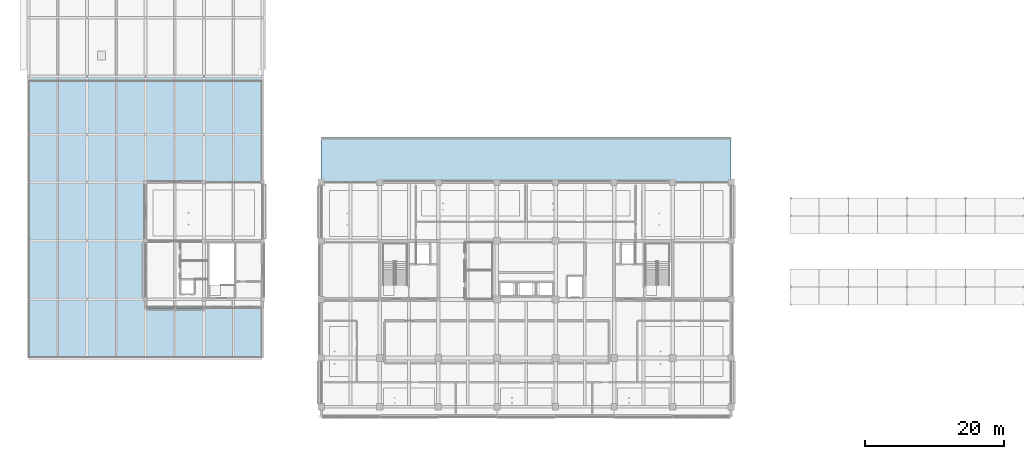
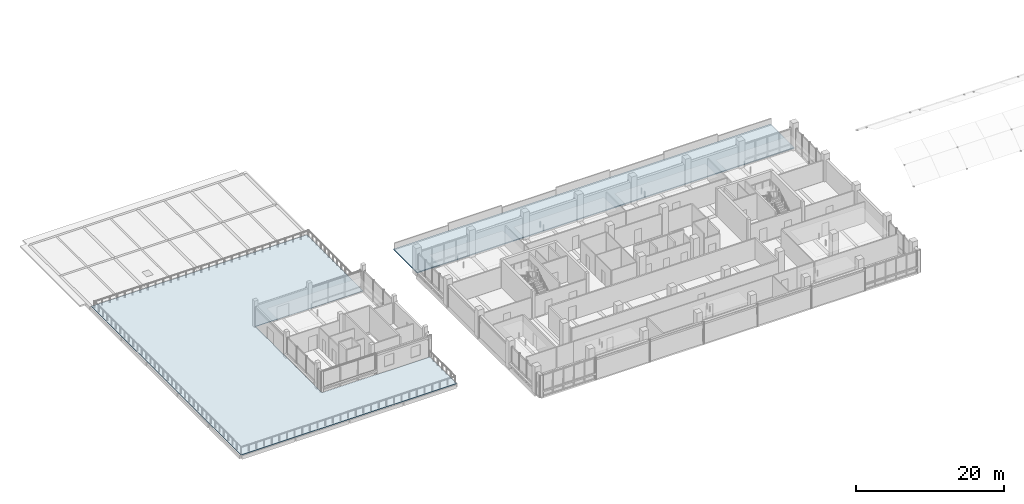
# One storey, part 24 of 59: 2 roofs.
"""IFC4 building model written with IfcOpenShell, lengths in metres."""

from ifc_helpers import new_model, si_unit, direction, frame, origin, place, context, subcontext, project, spatial, polyline, outline, extrude, material, layer, layer_set, type_object, element, save


model = new_model("IFC4")

# Units and contexts
model_context = context("Model", 3, precision=1e-05, world=origin(), true_north=direction((0.0, 1.0)))
body_context = subcontext(model_context, "Body", "Model", "MODEL_VIEW")
ifc_project = project(units=[si_unit("LENGTHUNIT", "METRE"), si_unit("AREAUNIT", "SQUARE_METRE"), si_unit("VOLUMEUNIT", "CUBIC_METRE"), si_unit("PLANEANGLEUNIT", "RADIAN"), si_unit("MASSUNIT", "GRAM", prefix="KILO")], contexts=[model_context])

# Site, building, storey
site_placement = place(None, origin())
site = spatial("IfcSite", under=ifc_project, at=site_placement, CompositionType="ELEMENT")
building_placement = place(site_placement, origin())
building = spatial("IfcBuilding", under=site, at=building_placement, Name="Telukmera Botanical Conservatory", CompositionType="ELEMENT")
storey_placement = place(building_placement, frame((0.0, 0.0, 15.0)))
storey = spatial("IfcBuildingStorey", under=building, at=storey_placement, Name="L03", CompositionType="ELEMENT", Elevation=15.0)

# Roofs
ifc_material = material(Name="Insulated reinforced concrete roof assembly C40/50", Category="concrete")
ifc_layer = layer(ifc_material, 0.179931640625)
ifc_layer_set = layer_set([ifc_layer], Name="Insulated reinforced concrete roof assembly C40/50")
roof_type = type_object("IfcRoofType", Name="Heavyweight Insulated Concrete Flat Roof", PredefinedType="FLAT_ROOF", material=ifc_layer_set)
roof_1_placement = place(storey_placement, origin())
element("IfcRoof", 1, at=roof_1_placement, inside=storey, type_object=roof_type, Name="Visitor Centre Planted Terrace Insulated Roof Deck", PredefinedType="FLAT_ROOF", context=body_context, shape_type="SweptSolid", body=[
    extrude(outline(polyline([(8.39990234375, 17.60009765625), (42.0, 17.60009765625), (42.0, 24.800048828125), (25.199951171875, 24.800048828125), (25.199951171875, 42.800048828125), (42.0, 42.800048828125), (42.0, 58.0), (8.39990234375, 58.0), (8.39990234375, 17.60009765625)])), origin(), (0.0, 0.0, 1.0), 0.080078125),
])
roof_2_placement = place(storey_placement, origin())
element("IfcRoof", 2, at=roof_2_placement, inside=storey, type_object=roof_type, Name="Tower North Podium Setback Insulated Flat Roof", PredefinedType="FLAT_ROOF", context=body_context, shape_type="SweptSolid", body=[
    extrude(outline(polyline([(50.39990234375, 42.800048828125), (109.199951171875, 42.800048828125), (109.199951171875, 49.199951171875), (50.39990234375, 49.199951171875), (50.39990234375, 42.800048828125)])), origin(), (0.0, 0.0, 1.0), 0.159912109375),
])

save(model, "model.ifc")
